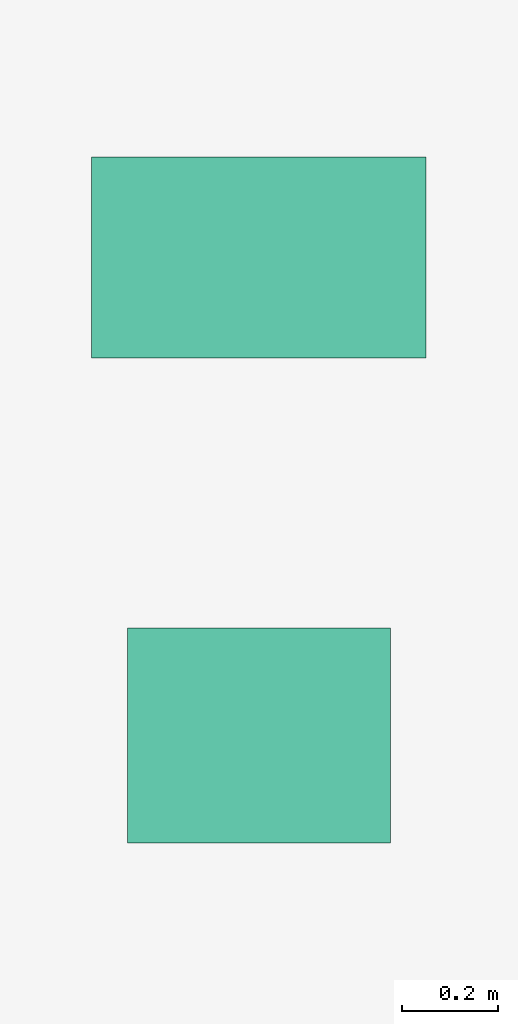
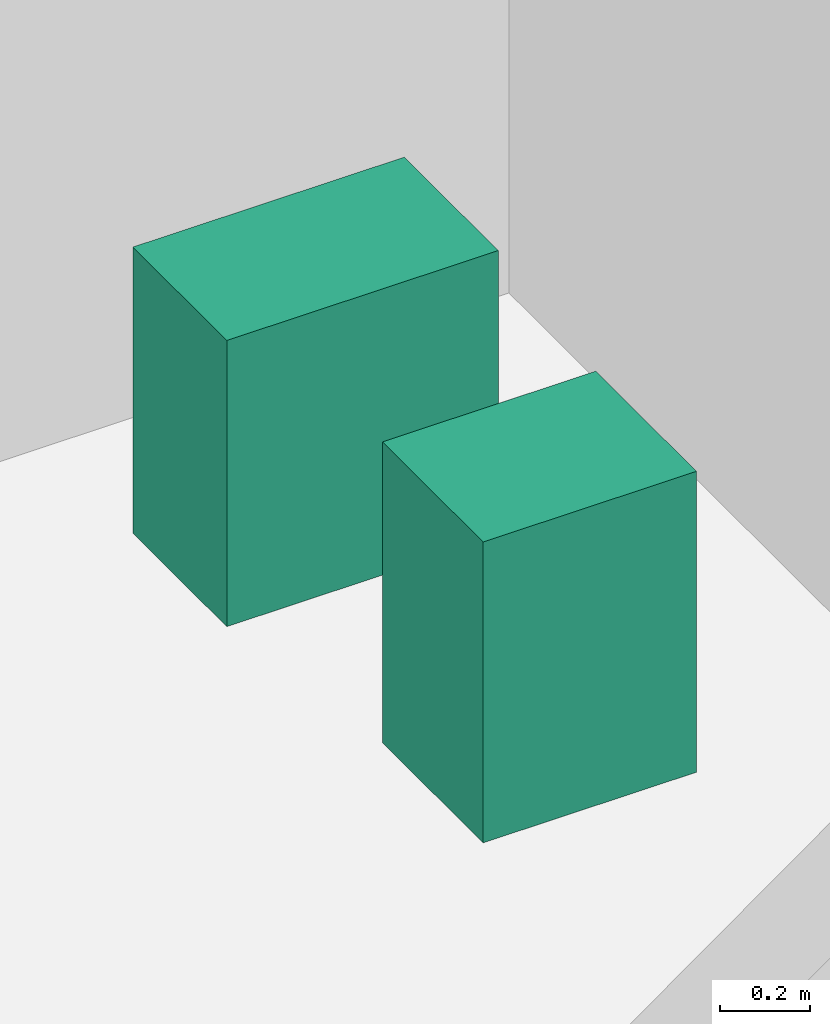
# One storey, part 33 of 33: 2 sanitary terminals.
"""IFC4 building model written with IfcOpenShell, lengths in metres."""

from ifc_helpers import new_model, si_unit, direction, frame, origin, origin_2d, place, context, subcontext, project, spatial, rectangle, extrude, source, transform, mapped, material, type_object, element, save


model = new_model("IFC4")

# Units and contexts
model_context = context("Model", 3, precision=1e-05, world=origin(), true_north=direction((0.0, 1.0)))
body_context = subcontext(model_context, "Body", "Model", "MODEL_VIEW")
ifc_project = project(units=[si_unit("LENGTHUNIT", "METRE"), si_unit("AREAUNIT", "SQUARE_METRE"), si_unit("VOLUMEUNIT", "CUBIC_METRE"), si_unit("PLANEANGLEUNIT", "RADIAN"), si_unit("MASSUNIT", "GRAM", prefix="KILO")], contexts=[model_context])

# Site, building, storey
site_placement = place(None, origin())
site = spatial("IfcSite", under=ifc_project, at=site_placement, CompositionType="ELEMENT")
building_placement = place(site_placement, origin())
building = spatial("IfcBuilding", under=site, at=building_placement, Name="Sumidabori Civic Tower", CompositionType="ELEMENT")
storey_placement = place(building_placement, frame((0.0, 0.0, 30.800048828125)))
storey = spatial("IfcBuildingStorey", under=building, at=storey_placement, Name="L07", CompositionType="ELEMENT", Elevation=30.800048828125)

# Sanitary terminals
ifc_material = material(Name="Vitreous Sanitary Porcelain")
sanitary_terminal_type_1 = type_object("IfcSanitaryTerminalType", Name="SN-WC-1", PredefinedType="TOILETPAN", material=ifc_material)
shared_shape_1 = source(origin(), body_context, "Body", "SweptSolid", [
    extrude(rectangle(XDim=0.699951171875, YDim=0.419921875, at=origin_2d()), origin(), (0.0, 0.0, 1.0), 0.780029296875),
])
sanitary_terminal_1_placement = place(storey_placement, frame((10.800048828125, 21.85009765625, 0.0), z_axis=(0.0, 0.0, 1.0), x_axis=(1.0, 0.0, 0.0)))
element("IfcSanitaryTerminal", 1, at=sanitary_terminal_1_placement, inside=storey, type_object=sanitary_terminal_type_1, Name="Accessible WC Pan L07", PredefinedType="TOILETPAN", context=body_context, shape_type="MappedRepresentation", body=[
    mapped(shared_shape_1, transform((0.0, 0.0, 0.0), x_axis=(1.0, 0.0, 0.0), y_axis=(0.0, 1.0, 0.0), z_axis=(0.0, 0.0, 1.0), scale=1.0)),
])
sanitary_terminal_type_2 = type_object("IfcSanitaryTerminalType", Name="SN-BAS-1", PredefinedType="WASHHANDBASIN", material=ifc_material)
shared_shape_2 = source(origin(), body_context, "Body", "SweptSolid", [
    extrude(rectangle(XDim=0.550048828125, YDim=0.449951171875, at=origin_2d()), origin(), (0.0, 0.0, 1.0), 0.820068359375),
])
sanitary_terminal_2_placement = place(storey_placement, frame((10.800048828125, 20.85009765625, 0.0), z_axis=(0.0, 0.0, 1.0), x_axis=(1.0, 0.0, 0.0)))
element("IfcSanitaryTerminal", 2, at=sanitary_terminal_2_placement, inside=storey, type_object=sanitary_terminal_type_2, Name="Accessible Basin L07", PredefinedType="WASHHANDBASIN", context=body_context, shape_type="MappedRepresentation", body=[
    mapped(shared_shape_2, transform((0.0, 0.0, 0.0), x_axis=(1.0, 0.0, 0.0), y_axis=(0.0, 1.0, 0.0), z_axis=(0.0, 0.0, 1.0), scale=1.0)),
])

save(model, "model.ifc")
